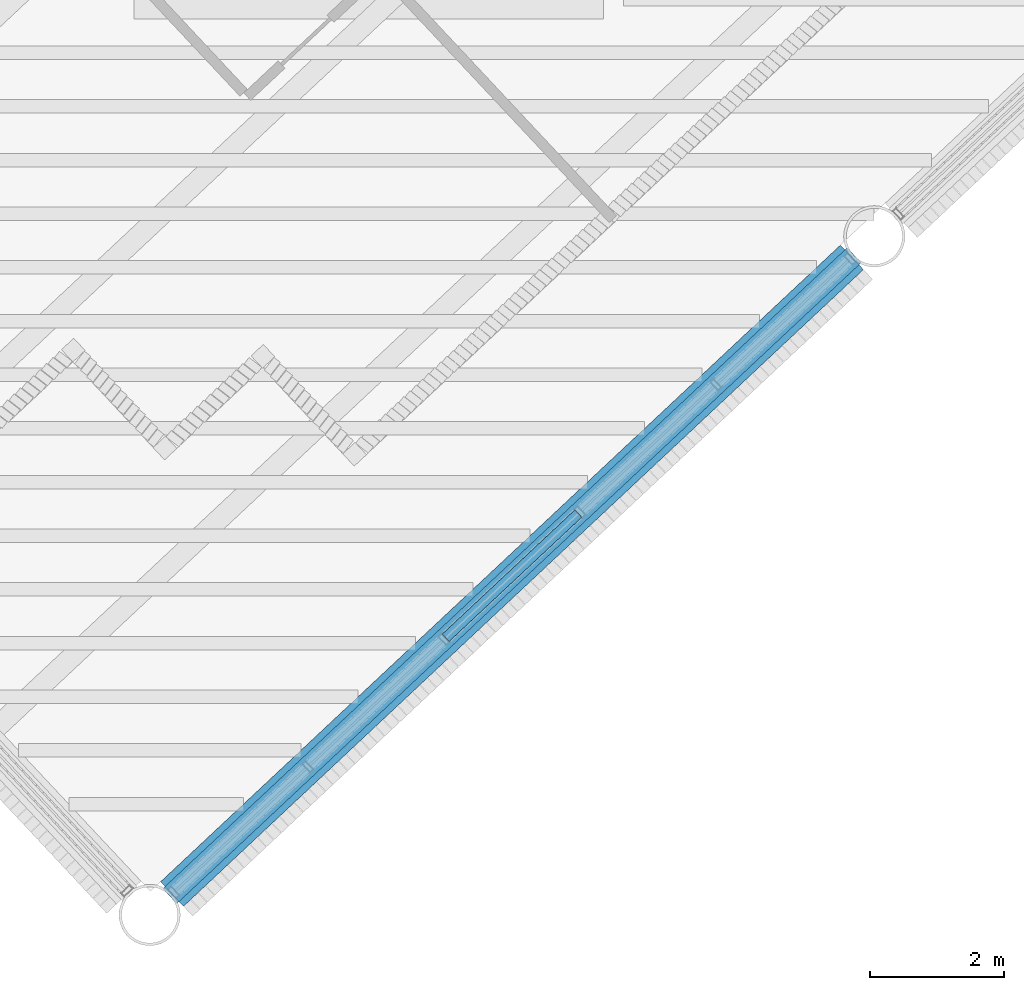
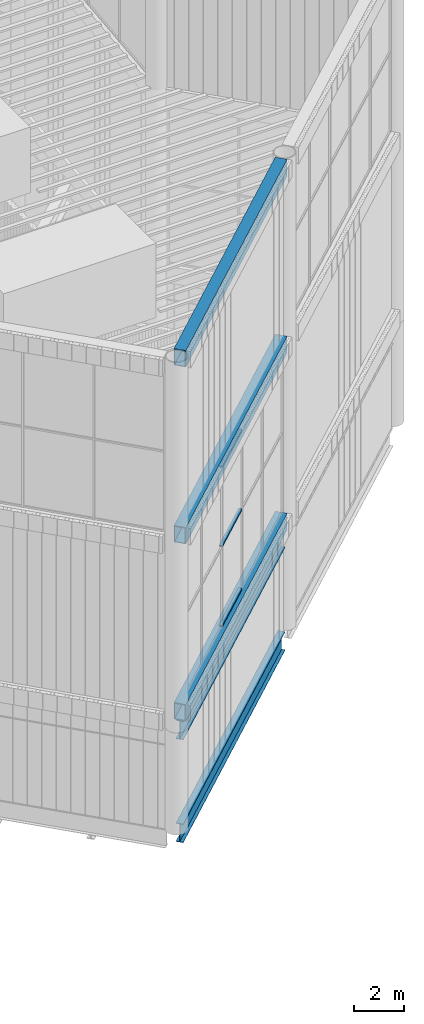
# One storey, part 33 of 117: 5 beams, 3 members, 1 element without a shape of its own.
"""IFC4 building model written with IfcOpenShell, lengths in metres."""

from ifc_helpers import new_model, si_unit, direction, frame, origin, origin_2d, place, context, subcontext, project, spatial, hollow_rectangle, i_section, extrude, material, layer, layer_set, material_profile, profile_set, type_object, element, aggregate, save


model = new_model("IFC4")

# Units and contexts
model_context = context("Model", 3, precision=1e-05, world=origin(), true_north=direction((0.0, 1.0)))
body_context = subcontext(model_context, "Body", "Model", "MODEL_VIEW")
ifc_project = project(units=[si_unit("LENGTHUNIT", "METRE"), si_unit("AREAUNIT", "SQUARE_METRE"), si_unit("VOLUMEUNIT", "CUBIC_METRE"), si_unit("PLANEANGLEUNIT", "RADIAN"), si_unit("MASSUNIT", "GRAM", prefix="KILO")], contexts=[model_context])

# Site, building, storey
site_placement = place(None, origin())
site = spatial("IfcSite", under=ifc_project, at=site_placement, CompositionType="ELEMENT")
building_placement = place(site_placement, origin())
building = spatial("IfcBuilding", under=site, at=building_placement, Name="Tarsis Ring Headquarters", CompositionType="ELEMENT")
storey_placement = place(building_placement, frame((0.0, 0.0, 403.60009765625)))
storey = spatial("IfcBuildingStorey", under=building, at=storey_placement, Name="L95", CompositionType="ELEMENT", Elevation=403.60009765625)

# Beams
ifc_material_1 = material(Name="Structural steel S355", Category="steel")
ifc_material_profile_1 = material_profile(ifc_material_1, hollow_rectangle(XDim=0.5, YDim=0.800048828125, WallThickness=0.030029296875, at=origin_2d()), Name="RHS 800x500x30")
ifc_profile_set_1 = profile_set([ifc_material_profile_1], Name="Structural steel S355")
beam_type_1 = type_object("IfcBeamType", Name="Crown frame ring beam RHS 800x500x30", PredefinedType="BEAM", material=ifc_profile_set_1)
for number, where, z_axis, x_axis, name in (
    (1, (13.3173828125, -35.205078125, 5.39990234375), (0.729925274841, 0.683526951296, 0.0), (-0.683526951296, 0.729925274841, 0.0), "Crown frame ring beam R3"),
    (2, (13.3173828125, -35.205078125, 14.0), (0.729925274841, 0.683526951296, 0.0), (-0.683526951296, 0.729925274841, 0.0), "Crown frame ring beam M3"),
    (3, (13.3173828125, -35.205078125, 22.599853515625), (0.729925274841, 0.683526951296, 0.0), (-0.683526951296, 0.729925274841, 0.0), "Crown frame ring beam T3"),
):
    element("IfcBeam", number, at=place(storey_placement, frame(where, z_axis=z_axis, x_axis=x_axis)), inside=storey, type_object=beam_type_1, Name=name, PredefinedType="BEAM", context=body_context, shape_type="SweptSolid", body=[
        extrude(hollow_rectangle(XDim=0.5, YDim=0.800048828125, WallThickness=0.030029296875, at=origin_2d()), origin(), (0.0, 0.0, 1.0), 13.885986328125),
    ])

# Curtain wall, members
ifc_material_2 = material(Name="Aluminium curtain wall", Category="aluminium")
ifc_layer = layer(ifc_material_2, 0.179931640625)
ifc_layer_set = layer_set([ifc_layer], Name="Curtain wall crown glazing")
curtain_wall_type = type_object("IfcCurtainWallType", Name="Curtain wall crown glazing", PredefinedType="NOTDEFINED", material=ifc_layer_set)
curtain_wall_placement = place(storey_placement, origin())
curtain_wall = element("IfcCurtainWall", 4, at=curtain_wall_placement, inside=storey, type_object=curtain_wall_type, Name="Crown glazing L3", PredefinedType="NOTDEFINED")
ifc_material_3 = material(Name="Aluminium transom", Category="aluminium")
ifc_material_profile_2 = material_profile(ifc_material_3, hollow_rectangle(XDim=0.14990234375, YDim=0.070068359375, WallThickness=0.0048828125, at=origin_2d()), Name="RHS 150x70x5")
ifc_profile_set_2 = profile_set([ifc_material_profile_2], Name="Aluminium transom")
member_type = type_object("IfcMemberType", Name="Crown glazing transom RHS 150x70x5", PredefinedType="USERDEFINED", material=ifc_profile_set_2)
member_1_placement = place(storey_placement, frame((17.397216796875, -31.384765625, 5.8349609375), z_axis=(0.729902687383, 0.683551071209, 0.0), x_axis=(-0.683551071209, 0.729902687383, 0.0)))
member_1 = element("IfcMember", 5, at=member_1_placement, type_object=member_type, Name="CW-C transom 3.1", ObjectType="TRANSOM", PredefinedType="USERDEFINED", context=body_context, shape_type="SweptSolid", body=[
    extrude(hollow_rectangle(XDim=0.14990234375, YDim=0.070068359375, WallThickness=0.0048828125, at=origin_2d()), origin(), (0.0, 0.0, 1.0), 2.707275390625),
])
member_2_placement = place(storey_placement, frame((17.397216796875, -31.384765625, 9.699951171875), z_axis=(0.729902687383, 0.683551071209, 0.0), x_axis=(-0.683551071209, 0.729902687383, 0.0)))
member_2 = element("IfcMember", 6, at=member_2_placement, type_object=member_type, Name="CW-C transom 3.2", ObjectType="TRANSOM", PredefinedType="USERDEFINED", context=body_context, shape_type="SweptSolid", body=[
    extrude(hollow_rectangle(XDim=0.14990234375, YDim=0.070068359375, WallThickness=0.0048828125, at=origin_2d()), origin(), (0.0, 0.0, 1.0), 2.707275390625),
])
member_3_placement = place(storey_placement, frame((17.397216796875, -31.384765625, 13.56494140625), z_axis=(0.729902687383, 0.683551071209, 0.0), x_axis=(-0.683551071209, 0.729902687383, 0.0)))
member_3 = element("IfcMember", 7, at=member_3_placement, type_object=member_type, Name="CW-C transom 3.3", ObjectType="TRANSOM", PredefinedType="USERDEFINED", context=body_context, shape_type="SweptSolid", body=[
    extrude(hollow_rectangle(XDim=0.14990234375, YDim=0.070068359375, WallThickness=0.0048828125, at=origin_2d()), origin(), (0.0, 0.0, 1.0), 2.707275390625),
])
aggregate(curtain_wall, [member_1, member_2, member_3])

# Beams
ifc_material_profile_3 = material_profile(ifc_material_1, i_section(OverallWidth=0.3046875, OverallDepth=0.904296875, WebThickness=0.01513671875, FlangeThickness=0.02001953125, at=origin_2d()), Name="W36x135")
ifc_profile_set_3 = profile_set([ifc_material_profile_3], Name="Structural steel S355")
beam_type_2 = type_object("IfcBeamType", Name="XG Ring girder W36x135", PredefinedType="BEAM", material=ifc_profile_set_3)
for number, where, z_axis, x_axis, name in (
    (8, (13.2841796875, -35.236328125, -0.4521484375), (0.729922748297, 0.683529649334, 0.0), (-0.683529649334, 0.729922748297, 0.0), "Ring girder XG5"),
    (9, (13.2841796875, -35.236328125, 4.5478515625), (0.729922748297, 0.683529649334, 0.0), (-0.683529649334, 0.729922748297, 0.0), "Ring girder XG5"),
):
    element("IfcBeam", number, at=place(storey_placement, frame(where, z_axis=z_axis, x_axis=x_axis)), inside=storey, type_object=beam_type_2, Name=name, PredefinedType="BEAM", context=body_context, shape_type="SweptSolid", body=[
        extrude(i_section(OverallWidth=0.3046875, OverallDepth=0.904296875, WebThickness=0.01513671875, FlangeThickness=0.02001953125, at=origin_2d()), origin(), (0.0, 0.0, 1.0), 13.97705078125),
    ])

save(model, "model.ifc")
